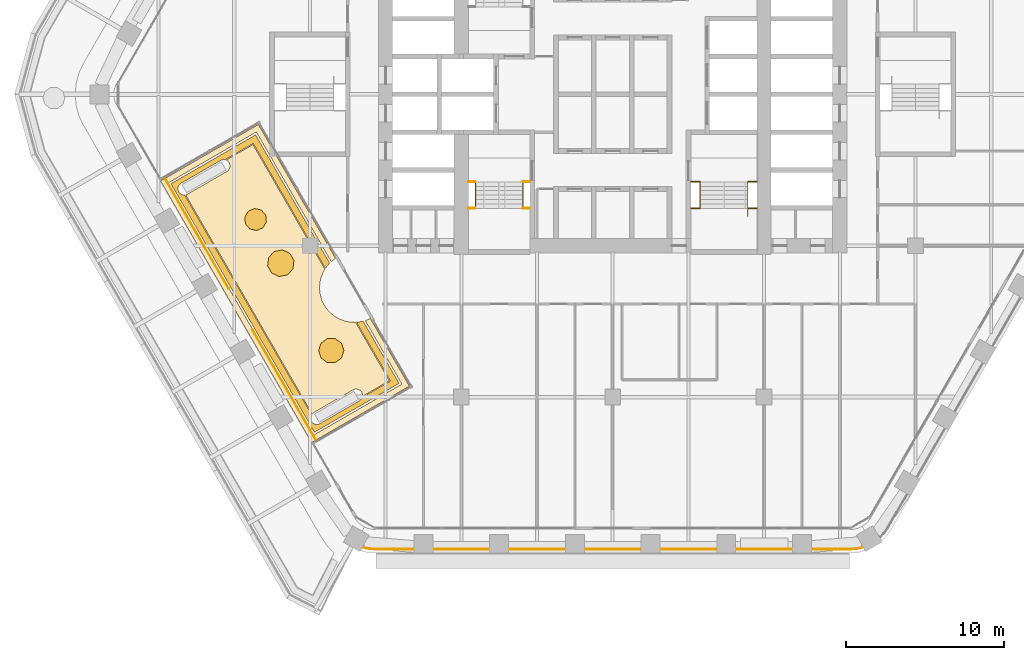
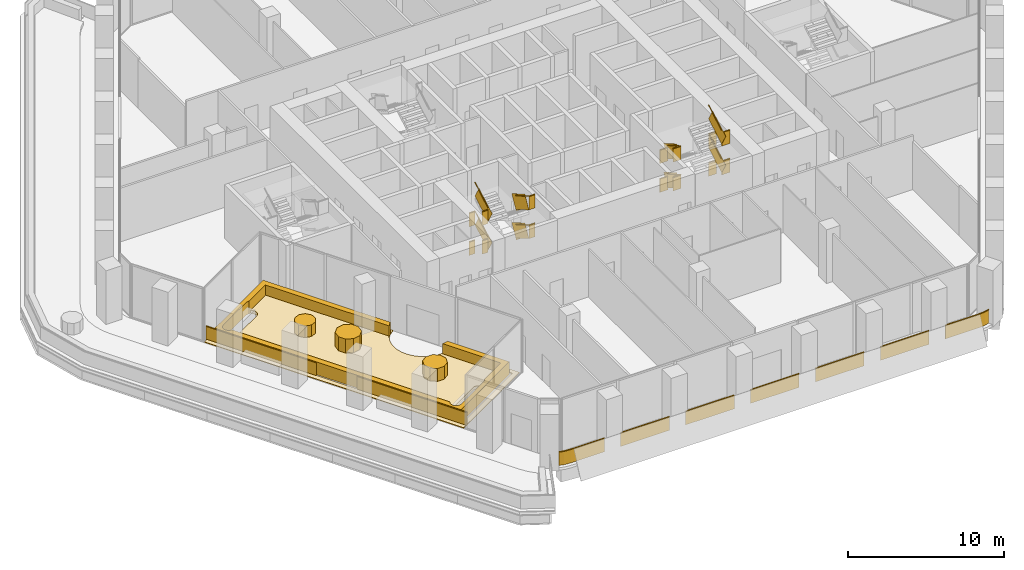
# One storey, part 25 of 27: 6 coverings, 6 railings.
"""IFC4 building model written with IfcOpenShell, lengths in metres."""

from ifc_helpers import new_model, si_unit, direction, frame, frame_2d, origin, origin_2d, place, context, subcontext, project, spatial, polyline, rectangle, outline, extrude, material, layer, layer_set, type_object, element, save


model = new_model("IFC4")

# Units and contexts
model_context = context("Model", 3, precision=1e-05, world=origin(), true_north=direction((0.0, 1.0)))
body_context = subcontext(model_context, "Body", "Model", "MODEL_VIEW")
ifc_project = project(units=[si_unit("LENGTHUNIT", "METRE"), si_unit("AREAUNIT", "SQUARE_METRE"), si_unit("VOLUMEUNIT", "CUBIC_METRE"), si_unit("PLANEANGLEUNIT", "RADIAN"), si_unit("MASSUNIT", "GRAM", prefix="KILO")], contexts=[model_context])

# Site, building, storey
site_placement = place(None, origin())
site = spatial("IfcSite", under=ifc_project, at=site_placement, CompositionType="ELEMENT")
building_placement = place(site_placement, origin())
building = spatial("IfcBuilding", under=site, at=building_placement, Name="Kolab Exchange Tower", CompositionType="ELEMENT")
storey_placement = place(building_placement, frame((0.0, 0.0, 122.89990234375)))
storey = spatial("IfcBuildingStorey", under=building, at=storey_placement, Name="L24", CompositionType="ELEMENT", Elevation=122.89990234375)

# Covering
ifc_material_1 = material(Name="Flowering shrub planting", Category="soil")
ifc_layer_1 = layer(ifc_material_1, 1.0)
ifc_layer_set_1 = layer_set([ifc_layer_1], Name="Flowering shrub planting")
covering_type_1 = type_object("IfcCoveringType", Name="FLOWERING SHRUB PLANTING", PredefinedType="USERDEFINED", material=ifc_layer_set_1)
covering_1_placement = place(storey_placement, frame((0.0, 0.0, 0.25)))
element("IfcCovering", 1, at=covering_1_placement, inside=storey, type_object=covering_type_1, Name="Flowering shrub", ObjectType="PLANTING", PredefinedType="USERDEFINED", context=body_context, shape_type="SweptSolid", body=[
    extrude(outline(polyline([(-17.048828125, -16.251708984375), (-17.20166015625, -15.781494140625), (-17.6015625, -15.490966796875), (-18.095947265625, -15.490966796875), (-18.49609375, -15.781494140625), (-18.64892578125, -16.251708984375), (-18.49609375, -16.721923828125), (-18.095947265625, -17.0126953125), (-17.6015625, -17.0126953125), (-17.20166015625, -16.721923828125), (-17.048828125, -16.251708984375)])), origin(), (0.0, 0.0, 1.0), 1.0),
])

# Railings
ifc_material_2 = material(Name="Stainless steel 316", Category="steel")
railing_type_1 = type_object("IfcRailingType", Name="GUARD 1100", PredefinedType="GUARDRAIL", material=ifc_material_2)
railing_1_placement = place(storey_placement, frame((-9.14990234375, -5.550048828125, 0.0)))
element("IfcRailing", 2, at=railing_1_placement, inside=storey, type_object=railing_type_1, Name="Guard ST3", PredefinedType="GUARDRAIL", context=body_context, shape_type="SweptSolid", body=[
    extrude(rectangle(XDim=0.05, YDim=0.05, at=origin_2d()), frame((0.0, 0.0, 1.0751953125), z_axis=(1.0, 0.0, 0.0), x_axis=(0.0, 1.0, 0.0)), (0.0, 0.0, 1.0), 0.43994140625),
    extrude(rectangle(XDim=0.012, YDim=1.05009765625, at=frame_2d((0.0, 0.525146484375))), frame((0.0, 0.0, 0.0), z_axis=(1.0, 0.0, 0.0), x_axis=(0.0, 1.0, 0.0)), (0.0, 0.0, 1.0), 0.43994140625),
    extrude(rectangle(XDim=0.05, YDim=0.05, at=origin_2d()), frame((3.4599609375, 0.0, 1.0751953125), z_axis=(1.0, 0.0, 0.0), x_axis=(0.0, 1.0, 0.0)), (0.0, 0.0, 1.0), 0.43994140625),
    extrude(rectangle(XDim=0.012, YDim=1.05009765625, at=frame_2d((0.0, 0.525146484375))), frame((3.4599609375, 0.0, 0.0), z_axis=(1.0, 0.0, 0.0), x_axis=(0.0, 1.0, 0.0)), (0.0, 0.0, 1.0), 0.43994140625),
    extrude(rectangle(XDim=0.05, YDim=0.05, at=origin_2d()), frame((0.0, -1.679931640625, 2.2001953125), z_axis=(1.0, 0.0, 0.0), x_axis=(0.0, 1.0, 0.0)), (0.0, 0.0, 1.0), 0.43994140625),
    extrude(rectangle(XDim=0.012, YDim=1.05009765625, at=frame_2d((0.0, 0.525146484375))), frame((0.0, -1.679931640625, 1.125), z_axis=(1.0, 0.0, 0.0), x_axis=(0.0, 1.0, 0.0)), (0.0, 0.0, 1.0), 0.43994140625),
    extrude(rectangle(XDim=0.05, YDim=0.05, at=origin_2d()), frame((3.4599609375, -1.679931640625, 2.2001953125), z_axis=(1.0, 0.0, 0.0), x_axis=(0.0, 1.0, 0.0)), (0.0, 0.0, 1.0), 0.43994140625),
    extrude(rectangle(XDim=0.012, YDim=1.05009765625, at=frame_2d((0.0, 0.525146484375))), frame((3.4599609375, -1.679931640625, 1.125), z_axis=(1.0, 0.0, 0.0), x_axis=(0.0, 1.0, 0.0)), (0.0, 0.0, 1.0), 0.43994140625),
    extrude(rectangle(XDim=0.05, YDim=0.05, at=origin_2d()), frame((0.0, 0.0, 3.3251953125), z_axis=(1.0, 0.0, 0.0), x_axis=(0.0, 1.0, 0.0)), (0.0, 0.0, 1.0), 0.43994140625),
    extrude(rectangle(XDim=0.012, YDim=1.05009765625, at=frame_2d((0.0, 0.525146484375))), frame((0.0, 0.0, 2.25), z_axis=(1.0, 0.0, 0.0), x_axis=(0.0, 1.0, 0.0)), (0.0, 0.0, 1.0), 0.43994140625),
    extrude(rectangle(XDim=0.05, YDim=0.05, at=origin_2d()), frame((3.4599609375, 0.0, 3.3251953125), z_axis=(1.0, 0.0, 0.0), x_axis=(0.0, 1.0, 0.0)), (0.0, 0.0, 1.0), 0.43994140625),
    extrude(rectangle(XDim=0.012, YDim=1.05009765625, at=frame_2d((0.0, 0.525146484375))), frame((3.4599609375, 0.0, 2.25), z_axis=(1.0, 0.0, 0.0), x_axis=(0.0, 1.0, 0.0)), (0.0, 0.0, 1.0), 0.43994140625),
    extrude(rectangle(XDim=0.05, YDim=0.05, at=origin_2d()), frame((0.0, -1.679931640625, 4.4501953125), z_axis=(1.0, 0.0, 0.0), x_axis=(0.0, 1.0, 0.0)), (0.0, 0.0, 1.0), 0.43994140625),
    extrude(rectangle(XDim=0.012, YDim=1.05009765625, at=frame_2d((0.0, 0.525146484375))), frame((0.0, -1.679931640625, 3.375), z_axis=(1.0, 0.0, 0.0), x_axis=(0.0, 1.0, 0.0)), (0.0, 0.0, 1.0), 0.43994140625),
    extrude(rectangle(XDim=0.05, YDim=0.05, at=origin_2d()), frame((3.4599609375, -1.679931640625, 4.4501953125), z_axis=(1.0, 0.0, 0.0), x_axis=(0.0, 1.0, 0.0)), (0.0, 0.0, 1.0), 0.43994140625),
    extrude(rectangle(XDim=0.012, YDim=1.05009765625, at=frame_2d((0.0, 0.525146484375))), frame((3.4599609375, -1.679931640625, 3.375), z_axis=(1.0, 0.0, 0.0), x_axis=(0.0, 1.0, 0.0)), (0.0, 0.0, 1.0), 0.43994140625),
])
railing_2_placement = place(storey_placement, frame((-5.68994140625, -5.550048828125, 0.160888671875)))
element("IfcRailing", 3, at=railing_2_placement, inside=storey, type_object=railing_type_1, Name="Handrail guard ST3", PredefinedType="GUARDRAIL", context=body_context, shape_type="SweptSolid", body=[
    extrude(rectangle(XDim=0.05, YDim=0.05, at=origin_2d()), frame((0.0, 0.0, 1.0751953125), z_axis=(0.0, -0.867318599139, 0.497753400378), x_axis=(1.0, 0.0, 0.0)), (0.0, 0.0, 1.0), 1.93701171875),
    extrude(rectangle(XDim=0.012, YDim=1.05009765625, at=frame_2d((0.0, 0.525146484375))), frame((0.0, 0.0, 0.0), z_axis=(0.0, -0.867318599139, 0.497753400378), x_axis=(1.0, 0.0, 0.0)), (0.0, 0.0, 1.0), 1.93701171875),
    extrude(rectangle(XDim=0.05, YDim=0.05, at=origin_2d()), frame((-3.02001953125, -1.679931640625, 2.2001953125), z_axis=(0.0, 0.867318599139, 0.497753400378), x_axis=(-1.0, 0.0, 0.0)), (0.0, 0.0, 1.0), 1.93701171875),
    extrude(rectangle(XDim=0.012, YDim=1.05009765625, at=frame_2d((0.0, 0.525146484375))), frame((-3.02001953125, -1.679931640625, 1.125), z_axis=(0.0, 0.867318599139, 0.497753400378), x_axis=(-1.0, 0.0, 0.0)), (0.0, 0.0, 1.0), 1.93701171875),
    extrude(rectangle(XDim=0.05, YDim=0.05, at=origin_2d()), frame((0.0, 0.0, 3.3251953125), z_axis=(0.0, -0.867318599139, 0.497753400378), x_axis=(1.0, 0.0, 0.0)), (0.0, 0.0, 1.0), 1.93701171875),
    extrude(rectangle(XDim=0.012, YDim=1.05009765625, at=frame_2d((0.0, 0.525146484375))), frame((0.0, 0.0, 2.25), z_axis=(0.0, -0.867318599139, 0.497753400378), x_axis=(1.0, 0.0, 0.0)), (0.0, 0.0, 1.0), 1.93701171875),
    extrude(rectangle(XDim=0.05, YDim=0.05, at=origin_2d()), frame((-3.02001953125, -1.679931640625, 4.4501953125), z_axis=(0.0, 0.867318599139, 0.497753400378), x_axis=(-1.0, 0.0, 0.0)), (0.0, 0.0, 1.0), 1.93701171875),
    extrude(rectangle(XDim=0.012, YDim=1.05009765625, at=frame_2d((0.0, 0.525146484375))), frame((-3.02001953125, -1.679931640625, 3.375), z_axis=(0.0, 0.867318599139, 0.497753400378), x_axis=(-1.0, 0.0, 0.0)), (0.0, 0.0, 1.0), 1.93701171875),
])
railing_3_placement = place(storey_placement, frame((4.949951171875, -5.550048828125, 0.0)))
element("IfcRailing", 4, at=railing_3_placement, inside=storey, type_object=railing_type_1, Name="Guard ST2", PredefinedType="GUARDRAIL", context=body_context, shape_type="SweptSolid", body=[
    extrude(rectangle(XDim=0.05, YDim=0.05, at=origin_2d()), frame((0.0, 0.0, 1.0751953125), z_axis=(1.0, 0.0, 0.0), x_axis=(0.0, 1.0, 0.0)), (0.0, 0.0, 1.0), 0.590087890625),
    extrude(rectangle(XDim=0.012, YDim=1.05009765625, at=frame_2d((0.0, 0.525146484375))), frame((0.0, 0.0, 0.0), z_axis=(1.0, 0.0, 0.0), x_axis=(0.0, 1.0, 0.0)), (0.0, 0.0, 1.0), 0.590087890625),
    extrude(rectangle(XDim=0.05, YDim=0.05, at=origin_2d()), frame((3.610107421875, 0.0, 1.0751953125), z_axis=(1.0, 0.0, 0.0), x_axis=(0.0, 1.0, 0.0)), (0.0, 0.0, 1.0), 0.58984375),
    extrude(rectangle(XDim=0.012, YDim=1.05009765625, at=frame_2d((0.0, 0.525146484375))), frame((3.610107421875, 0.0, 0.0), z_axis=(1.0, 0.0, 0.0), x_axis=(0.0, 1.0, 0.0)), (0.0, 0.0, 1.0), 0.58984375),
    extrude(rectangle(XDim=0.05, YDim=0.05, at=origin_2d()), frame((0.0, -1.679931640625, 2.2001953125), z_axis=(1.0, 0.0, 0.0), x_axis=(0.0, 1.0, 0.0)), (0.0, 0.0, 1.0), 0.590087890625),
    extrude(rectangle(XDim=0.012, YDim=1.05009765625, at=frame_2d((0.0, 0.525146484375))), frame((0.0, -1.679931640625, 1.125), z_axis=(1.0, 0.0, 0.0), x_axis=(0.0, 1.0, 0.0)), (0.0, 0.0, 1.0), 0.590087890625),
    extrude(rectangle(XDim=0.05, YDim=0.05, at=origin_2d()), frame((3.610107421875, -1.679931640625, 2.2001953125), z_axis=(1.0, 0.0, 0.0), x_axis=(0.0, 1.0, 0.0)), (0.0, 0.0, 1.0), 0.58984375),
    extrude(rectangle(XDim=0.012, YDim=1.05009765625, at=frame_2d((0.0, 0.525146484375))), frame((3.610107421875, -1.679931640625, 1.125), z_axis=(1.0, 0.0, 0.0), x_axis=(0.0, 1.0, 0.0)), (0.0, 0.0, 1.0), 0.58984375),
    extrude(rectangle(XDim=0.05, YDim=0.05, at=origin_2d()), frame((0.0, 0.0, 3.3251953125), z_axis=(1.0, 0.0, 0.0), x_axis=(0.0, 1.0, 0.0)), (0.0, 0.0, 1.0), 0.590087890625),
    extrude(rectangle(XDim=0.012, YDim=1.05009765625, at=frame_2d((0.0, 0.525146484375))), frame((0.0, 0.0, 2.25), z_axis=(1.0, 0.0, 0.0), x_axis=(0.0, 1.0, 0.0)), (0.0, 0.0, 1.0), 0.590087890625),
    extrude(rectangle(XDim=0.05, YDim=0.05, at=origin_2d()), frame((3.610107421875, 0.0, 3.3251953125), z_axis=(1.0, 0.0, 0.0), x_axis=(0.0, 1.0, 0.0)), (0.0, 0.0, 1.0), 0.58984375),
    extrude(rectangle(XDim=0.012, YDim=1.05009765625, at=frame_2d((0.0, 0.525146484375))), frame((3.610107421875, 0.0, 2.25), z_axis=(1.0, 0.0, 0.0), x_axis=(0.0, 1.0, 0.0)), (0.0, 0.0, 1.0), 0.58984375),
    extrude(rectangle(XDim=0.05, YDim=0.05, at=origin_2d()), frame((0.0, -1.679931640625, 4.4501953125), z_axis=(1.0, 0.0, 0.0), x_axis=(0.0, 1.0, 0.0)), (0.0, 0.0, 1.0), 0.590087890625),
    extrude(rectangle(XDim=0.012, YDim=1.05009765625, at=frame_2d((0.0, 0.525146484375))), frame((0.0, -1.679931640625, 3.375), z_axis=(1.0, 0.0, 0.0), x_axis=(0.0, 1.0, 0.0)), (0.0, 0.0, 1.0), 0.590087890625),
    extrude(rectangle(XDim=0.05, YDim=0.05, at=origin_2d()), frame((3.610107421875, -1.679931640625, 4.4501953125), z_axis=(1.0, 0.0, 0.0), x_axis=(0.0, 1.0, 0.0)), (0.0, 0.0, 1.0), 0.58984375),
    extrude(rectangle(XDim=0.012, YDim=1.05009765625, at=frame_2d((0.0, 0.525146484375))), frame((3.610107421875, -1.679931640625, 3.375), z_axis=(1.0, 0.0, 0.0), x_axis=(0.0, 1.0, 0.0)), (0.0, 0.0, 1.0), 0.58984375),
])
railing_4_placement = place(storey_placement, frame((5.5400390625, -5.550048828125, 0.160888671875)))
element("IfcRailing", 5, at=railing_4_placement, inside=storey, type_object=railing_type_1, Name="Handrail guard ST2", PredefinedType="GUARDRAIL", context=body_context, shape_type="SweptSolid", body=[
    extrude(rectangle(XDim=0.05, YDim=0.05, at=origin_2d()), frame((0.0, 0.0, 1.0751953125), z_axis=(0.0, -0.867318599139, 0.497753400378), x_axis=(1.0, 0.0, 0.0)), (0.0, 0.0, 1.0), 1.93701171875),
    extrude(rectangle(XDim=0.012, YDim=1.05009765625, at=frame_2d((0.0, 0.525146484375))), frame((0.0, 0.0, 0.0), z_axis=(0.0, -0.867318599139, 0.497753400378), x_axis=(1.0, 0.0, 0.0)), (0.0, 0.0, 1.0), 1.93701171875),
    extrude(rectangle(XDim=0.05, YDim=0.05, at=origin_2d()), frame((3.02001953125, -1.679931640625, 2.2001953125), z_axis=(0.0, 0.867318599139, 0.497753400378), x_axis=(-1.0, 0.0, 0.0)), (0.0, 0.0, 1.0), 1.93701171875),
    extrude(rectangle(XDim=0.012, YDim=1.05009765625, at=frame_2d((0.0, 0.525146484375))), frame((3.02001953125, -1.679931640625, 1.125), z_axis=(0.0, 0.867318599139, 0.497753400378), x_axis=(-1.0, 0.0, 0.0)), (0.0, 0.0, 1.0), 1.93701171875),
    extrude(rectangle(XDim=0.05, YDim=0.05, at=origin_2d()), frame((0.0, 0.0, 3.3251953125), z_axis=(0.0, -0.867318599139, 0.497753400378), x_axis=(1.0, 0.0, 0.0)), (0.0, 0.0, 1.0), 1.93701171875),
    extrude(rectangle(XDim=0.012, YDim=1.05009765625, at=frame_2d((0.0, 0.525146484375))), frame((0.0, 0.0, 2.25), z_axis=(0.0, -0.867318599139, 0.497753400378), x_axis=(1.0, 0.0, 0.0)), (0.0, 0.0, 1.0), 1.93701171875),
    extrude(rectangle(XDim=0.05, YDim=0.05, at=origin_2d()), frame((3.02001953125, -1.679931640625, 4.4501953125), z_axis=(0.0, 0.867318599139, 0.497753400378), x_axis=(-1.0, 0.0, 0.0)), (0.0, 0.0, 1.0), 1.93701171875),
    extrude(rectangle(XDim=0.012, YDim=1.05009765625, at=frame_2d((0.0, 0.525146484375))), frame((3.02001953125, -1.679931640625, 3.375), z_axis=(0.0, 0.867318599139, 0.497753400378), x_axis=(-1.0, 0.0, 0.0)), (0.0, 0.0, 1.0), 1.93701171875),
])
ifc_material_3 = material(Name="Steel S235", Category="steel")
railing_type_2 = type_object("IfcRailingType", Name="GUARD 1100 GLASS BALUSTRADE AND STEEL TOP RAIL", PredefinedType="GUARDRAIL", material=ifc_material_3)
railing_5_placement = place(storey_placement, frame((-15.89208984375, -28.7138671875, 0.0)))
element("IfcRailing", 6, at=railing_5_placement, inside=storey, type_object=railing_type_2, Name="Guard", PredefinedType="GUARDRAIL", context=body_context, shape_type="SweptSolid", body=[
    extrude(rectangle(XDim=0.05, YDim=0.05, at=origin_2d()), frame((0.0, 0.0, 1.0751953125), z_axis=(0.966008746817, -0.258509382951, 0.0), x_axis=(0.258509382951, 0.966008746817, 0.0)), (0.0, 0.0, 1.0), 0.35888671875),
    extrude(rectangle(XDim=0.012, YDim=1.05009765625, at=frame_2d((0.0, 0.525146484375))), frame((0.0, 0.0, 0.0), z_axis=(0.966008746817, -0.258509382951, 0.0), x_axis=(0.258509382951, 0.966008746817, 0.0)), (0.0, 0.0, 1.0), 0.35888671875),
    extrude(rectangle(XDim=0.05, YDim=0.05, at=origin_2d()), frame((0.3466796875, -0.0927734375, 1.0751953125), z_axis=(0.996200348447, -0.087091134757, 0.0), x_axis=(0.087091134757, 0.996200348447, 0.0)), (0.0, 0.0, 1.0), 0.479248046875),
    extrude(rectangle(XDim=0.012, YDim=1.05009765625, at=frame_2d((0.0, 0.525146484375))), frame((0.3466796875, -0.0927734375, 0.0), z_axis=(0.996200348447, -0.087091134757, 0.0), x_axis=(0.087091134757, 0.996200348447, 0.0)), (0.0, 0.0, 1.0), 0.479248046875),
    extrude(rectangle(XDim=0.05, YDim=0.05, at=origin_2d()), frame((0.82421875, -0.134521484375, 1.0751953125), z_axis=(1.0, 0.0, 0.0), x_axis=(0.0, 1.0, 0.0)), (0.0, 0.0, 1.0), 2.4677734375),
    extrude(rectangle(XDim=0.012, YDim=1.05009765625, at=frame_2d((0.0, 0.525146484375))), frame((0.82421875, -0.134521484375, 0.0), z_axis=(1.0, 0.0, 0.0), x_axis=(0.0, 1.0, 0.0)), (0.0, 0.0, 1.0), 2.4677734375),
    extrude(rectangle(XDim=0.05, YDim=0.05, at=origin_2d()), frame((4.4921875, -0.134521484375, 1.0751953125), z_axis=(1.0, 0.0, 0.0), x_axis=(0.0, 1.0, 0.0)), (0.0, 0.0, 1.0), 3.599853515625),
    extrude(rectangle(XDim=0.012, YDim=1.05009765625, at=frame_2d((0.0, 0.525146484375))), frame((4.4921875, -0.134521484375, 0.0), z_axis=(1.0, 0.0, 0.0), x_axis=(0.0, 1.0, 0.0)), (0.0, 0.0, 1.0), 3.599853515625),
    extrude(rectangle(XDim=0.05, YDim=0.05, at=origin_2d()), frame((9.2919921875, -0.134521484375, 1.0751953125), z_axis=(1.0, 0.0, 0.0), x_axis=(0.0, 1.0, 0.0)), (0.0, 0.0, 1.0), 3.60009765625),
    extrude(rectangle(XDim=0.012, YDim=1.05009765625, at=frame_2d((0.0, 0.525146484375))), frame((9.2919921875, -0.134521484375, 0.0), z_axis=(1.0, 0.0, 0.0), x_axis=(0.0, 1.0, 0.0)), (0.0, 0.0, 1.0), 3.60009765625),
    extrude(rectangle(XDim=0.05, YDim=0.05, at=origin_2d()), frame((14.092041015625, -0.134521484375, 1.0751953125), z_axis=(1.0, 0.0, 0.0), x_axis=(0.0, 1.0, 0.0)), (0.0, 0.0, 1.0), 3.60009765625),
    extrude(rectangle(XDim=0.012, YDim=1.05009765625, at=frame_2d((0.0, 0.525146484375))), frame((14.092041015625, -0.134521484375, 0.0), z_axis=(1.0, 0.0, 0.0), x_axis=(0.0, 1.0, 0.0)), (0.0, 0.0, 1.0), 3.60009765625),
    extrude(rectangle(XDim=0.05, YDim=0.05, at=origin_2d()), frame((18.89208984375, -0.134521484375, 1.0751953125), z_axis=(1.0, 0.0, 0.0), x_axis=(0.0, 1.0, 0.0)), (0.0, 0.0, 1.0), 3.60009765625),
    extrude(rectangle(XDim=0.012, YDim=1.05009765625, at=frame_2d((0.0, 0.525146484375))), frame((18.89208984375, -0.134521484375, 0.0), z_axis=(1.0, 0.0, 0.0), x_axis=(0.0, 1.0, 0.0)), (0.0, 0.0, 1.0), 3.60009765625),
    extrude(rectangle(XDim=0.05, YDim=0.05, at=origin_2d()), frame((23.692138671875, -0.134521484375, 1.0751953125), z_axis=(1.0, 0.0, 0.0), x_axis=(0.0, 1.0, 0.0)), (0.0, 0.0, 1.0), 3.599853515625),
    extrude(rectangle(XDim=0.012, YDim=1.05009765625, at=frame_2d((0.0, 0.525146484375))), frame((23.692138671875, -0.134521484375, 0.0), z_axis=(1.0, 0.0, 0.0), x_axis=(0.0, 1.0, 0.0)), (0.0, 0.0, 1.0), 3.599853515625),
    extrude(rectangle(XDim=0.05, YDim=0.05, at=origin_2d()), frame((28.4921875, -0.134521484375, 1.0751953125), z_axis=(1.0, 0.0, 0.0), x_axis=(0.0, 1.0, 0.0)), (0.0, 0.0, 1.0), 2.4677734375),
    extrude(rectangle(XDim=0.012, YDim=1.05009765625, at=frame_2d((0.0, 0.525146484375))), frame((28.4921875, -0.134521484375, 0.0), z_axis=(1.0, 0.0, 0.0), x_axis=(0.0, 1.0, 0.0)), (0.0, 0.0, 1.0), 2.4677734375),
    extrude(rectangle(XDim=0.05, YDim=0.05, at=origin_2d()), frame((30.9599609375, -0.134521484375, 1.0751953125), z_axis=(0.996200348447, 0.087091134757, 0.0), x_axis=(-0.087091134757, 0.996200348447, 0.0)), (0.0, 0.0, 1.0), 0.479248046875),
    extrude(rectangle(XDim=0.012, YDim=1.05009765625, at=frame_2d((0.0, 0.525146484375))), frame((30.9599609375, -0.134521484375, 0.0), z_axis=(0.996200348447, 0.087091134757, 0.0), x_axis=(-0.087091134757, 0.996200348447, 0.0)), (0.0, 0.0, 1.0), 0.479248046875),
    extrude(rectangle(XDim=0.05, YDim=0.05, at=origin_2d()), frame((31.4375, -0.0927734375, 1.0751953125), z_axis=(0.966008746817, 0.258509382951, 0.0), x_axis=(-0.258509382951, 0.966008746817, 0.0)), (0.0, 0.0, 1.0), 0.35888671875),
    extrude(rectangle(XDim=0.012, YDim=1.05009765625, at=frame_2d((0.0, 0.525146484375))), frame((31.4375, -0.0927734375, 0.0), z_axis=(0.966008746817, 0.258509382951, 0.0), x_axis=(-0.258509382951, 0.966008746817, 0.0)), (0.0, 0.0, 1.0), 0.35888671875),
])
railing_6_placement = place(storey_placement, frame((-18.77783203125, -21.97265625, 0.0)))
element("IfcRailing", 7, at=railing_6_placement, inside=storey, type_object=railing_type_2, Name="Terrace guard", PredefinedType="GUARDRAIL", context=body_context, shape_type="SweptSolid", body=[
    extrude(rectangle(XDim=0.05, YDim=0.05, at=origin_2d()), frame((0.0, 0.0, 1.0751953125), z_axis=(-0.500013234218, 0.86601776287, 0.0), x_axis=(-0.86601776287, -0.500013234218, 0.0)), (0.0, 0.0, 1.0), 8.139892578125),
    extrude(rectangle(XDim=0.012, YDim=1.05009765625, at=frame_2d((0.0, 0.525146484375))), frame((0.0, 0.0, 0.0), z_axis=(-0.500013234218, 0.86601776287, 0.0), x_axis=(-0.86601776287, -0.500013234218, 0.0)), (0.0, 0.0, 1.0), 8.139892578125),
    extrude(rectangle(XDim=0.05, YDim=0.05, at=origin_2d()), frame((-9.64013671875, 16.697021484375, 1.0751953125), z_axis=(0.500000246922, -0.866025261224, 0.0), x_axis=(0.866025261224, 0.500000246922, 0.0)), (0.0, 0.0, 1.0), 8.14013671875),
    extrude(rectangle(XDim=0.012, YDim=1.05009765625, at=frame_2d((0.0, 0.525146484375))), frame((-9.64013671875, 16.697021484375, 0.0), z_axis=(0.500000246922, -0.866025261224, 0.0), x_axis=(0.866025261224, 0.500000246922, 0.0)), (0.0, 0.0, 1.0), 8.14013671875),
])

# Coverings
ifc_material_4 = material(Name="Dense shrub planting", Category="soil")
ifc_layer_2 = layer(ifc_material_4, 1.39990234375)
ifc_layer_set_2 = layer_set([ifc_layer_2], Name="Dense shrub planting")
covering_type_2 = type_object("IfcCoveringType", Name="PLANTED TRELLIS SCREEN AND SHRUB BED", PredefinedType="USERDEFINED", material=ifc_layer_set_2)
covering_2_placement = place(storey_placement, frame((0.0, 0.0, 0.25)))
element("IfcCovering", 8, at=covering_2_placement, inside=storey, type_object=covering_type_2, Name="Shrub bed", ObjectType="PLANTING", PredefinedType="USERDEFINED", context=body_context, shape_type="SweptSolid", body=[
    extrude(outline(polyline([(-20.2158203125, -10.54052734375), (-20.47412109375, -10.083251953125), (-20.951904296875, -9.864990234375), (-21.466796875, -9.96923828125), (-21.822021484375, -10.3564453125), (-21.8818359375, -10.878173828125), (-21.62353515625, -11.335693359375), (-21.145751953125, -11.553955078125), (-20.630859375, -11.449462890625), (-20.275634765625, -11.0625), (-20.2158203125, -10.54052734375)])), origin(), (0.0, 0.0, 1.0), 1.10009765625),
])
covering_3_placement = place(storey_placement, frame((0.0, 0.0, 0.25)))
element("IfcCovering", 9, at=covering_3_placement, inside=storey, type_object=covering_type_2, Name="Shrub bed", ObjectType="PLANTING", PredefinedType="USERDEFINED", context=body_context, shape_type="SweptSolid", body=[
    extrude(outline(polyline([(-22.004150390625, -7.66552734375), (-22.287353515625, -7.338623046875), (-22.708740234375, -7.24072265625), (-23.107421875, -7.4091796875), (-23.33056640625, -7.77978515625), (-23.29345703125, -8.210693359375), (-23.01025390625, -8.53759765625), (-22.5888671875, -8.6357421875), (-22.1904296875, -8.467041015625), (-21.967041015625, -8.0966796875), (-22.004150390625, -7.66552734375)])), origin(), (0.0, 0.0, 1.0), 0.900146484375),
])
ifc_material_5 = material(Name="Planting soil and turf", Category="soil")
ifc_layer_3 = layer(ifc_material_5, 0.25)
ifc_layer_set_3 = layer_set([ifc_layer_3], Name="Planting soil and turf")
covering_type_3 = type_object("IfcCoveringType", Name="PLANTING SOIL AND TURF 250", PredefinedType="USERDEFINED", material=ifc_layer_set_3)
covering_4_placement = place(storey_placement, origin())
element("IfcCovering", 10, at=covering_4_placement, inside=storey, type_object=covering_type_3, Name="Planting soil and turf", ObjectType="PLANTING", PredefinedType="USERDEFINED", context=body_context, shape_type="SweptSolid", body=[
    extrude(outline(polyline([(-15.876220703125, -19.154296875), (-15.872314453125, -19.1201171875), (-15.871826171875, -19.080810546875), (-15.875, -19.041748046875), (-15.8818359375, -19.0029296875), (-15.892822265625, -18.96533203125), (-15.9072265625, -18.9287109375), (-15.925048828125, -18.893798828125), (-15.9462890625, -18.86083984375), (-15.970703125, -18.830078125), (-15.998046875, -18.802001953125), (-16.028076171875, -18.776611328125), (-16.060302734375, -18.754150390625), (-16.094482421875, -18.735107421875), (-16.130615234375, -18.719482421875), (-16.16796875, -18.70751953125), (-16.206298828125, -18.69921875), (-16.245361328125, -18.694580078125), (-16.28466796875, -18.694091796875), (-16.32373046875, -18.697265625), (-16.3623046875, -18.704345703125), (-16.400146484375, -18.715087890625), (-16.4365234375, -18.7294921875), (-16.471435546875, -18.747314453125), (-18.965576171875, -20.1875), (-18.99853515625, -20.208740234375), (-19.029296875, -20.233154296875), (-19.0576171875, -20.260498046875), (-19.067138671875, -20.271728515625), (-27.08935546875, -6.376708984375), (-27.07470703125, -6.374267578125), (-27.037109375, -6.36328125), (-27.00048828125, -6.348876953125), (-26.965576171875, -6.3310546875), (-24.471435546875, -4.89111328125), (-24.4384765625, -4.869873046875), (-24.40771484375, -4.845458984375), (-24.379638671875, -4.818115234375), (-24.354248046875, -4.7880859375), (-24.331787109375, -4.755859375), (-24.312744140625, -4.721435546875), (-24.297119140625, -4.685546875), (-24.28515625, -4.648193359375), (-24.27685546875, -4.60986328125), (-24.2724609375, -4.57080078125), (-24.271728515625, -4.531494140625), (-24.27490234375, -4.492431640625), (-24.281982421875, -4.453857421875), (-24.292724609375, -4.416015625), (-24.30712890625, -4.379638671875), (-24.3251953125, -4.3447265625), (-24.346435546875, -4.3115234375), (-24.370849609375, -4.28076171875), (-24.39794921875, -4.252685546875), (-24.427978515625, -4.227294921875), (-24.460205078125, -4.204833984375), (-24.49462890625, -4.185791015625), (-24.5263671875, -4.172119140625), (-22.813232421875, -3.18310546875), (-18.2490234375, -11.088623046875), (-18.326416015625, -11.218017578125), (-18.4189453125, -11.4130859375), (-18.491455078125, -11.616455078125), (-18.5439453125, -11.825927734375), (-18.57568359375, -12.039306640625), (-18.586181640625, -12.255126953125), (-18.57568359375, -12.470703125), (-18.5439453125, -12.684326171875), (-18.491455078125, -12.8935546875), (-18.4189453125, -13.096923828125), (-18.326416015625, -13.2919921875), (-18.215576171875, -13.477294921875), (-18.0869140625, -13.650634765625), (-17.94189453125, -13.810546875), (-17.781982421875, -13.95556640625), (-17.608642578125, -14.084228515625), (-17.42333984375, -14.1953125), (-17.228271484375, -14.28759765625), (-17.02490234375, -14.3603515625), (-16.8154296875, -14.412841796875), (-16.60205078125, -14.4443359375), (-16.38623046875, -14.455078125), (-16.3076171875, -14.451171875), (-14.163330078125, -18.165283203125), (-15.876220703125, -19.154296875)])), origin(), (0.0, 0.0, 1.0), 0.25),
])
ifc_material_6 = material(Name="Limestone coping", Category="masonry")
ifc_layer_4 = layer(ifc_material_6, 0.050048828125)
ifc_layer_set_4 = layer_set([ifc_layer_4], Name="Limestone coping")
covering_type_4 = type_object("IfcCoveringType", Name="TERRACE EDGE BAND LIMESTONE 50", PredefinedType="CLADDING", material=ifc_layer_set_4)
covering_5_placement = place(storey_placement, origin())
element("IfcCovering", 11, at=covering_5_placement, inside=storey, type_object=covering_type_4, Name="Terrace edge band", PredefinedType="CLADDING", context=body_context, shape_type="SweptSolid", body=[
    extrude(outline(polyline([(-28.673583984375, -5.49267578125), (-22.472900390625, -1.91259765625), (-21.469970703125, -3.649658203125), (-21.469970703125, -3.64990234375), (-21.469970703125, -3.65185546875), (-21.4697265625, -3.65380859375), (-21.46923828125, -3.65576171875), (-21.468505859375, -3.65771484375), (-21.467529296875, -3.659423828125), (-21.466552734375, -3.6611328125), (-21.465576171875, -3.66259765625), (-21.464111328125, -3.6640625), (-21.462646484375, -3.66552734375), (-21.461181640625, -3.666748046875), (-21.459716796875, -3.66748046875), (-17.57080078125, -10.4033203125), (-17.608642578125, -10.42578125), (-17.781982421875, -10.554443359375), (-17.851318359375, -10.617431640625), (-22.60107421875, -2.390869140625), (-28.195556640625, -5.620849609375), (-18.965576171875, -21.607666015625), (-13.37109375, -18.377685546875), (-15.7001953125, -14.34326171875), (-15.54443359375, -14.28759765625), (-15.374755859375, -14.207275390625), (-12.892822265625, -18.505859375), (-19.09375, -22.085693359375), (-28.673583984375, -5.49267578125)])), origin(), (0.0, 0.0, 1.0), 0.050048828125),
])
ifc_material_7 = material(Name="Terrace hedge planting", Category="soil")
ifc_layer_5 = layer(ifc_material_7, 1.0)
ifc_layer_set_5 = layer_set([ifc_layer_5], Name="Terrace hedge planting")
covering_type_5 = type_object("IfcCoveringType", Name="TERRACE HEDGE 1000 X 400", PredefinedType="USERDEFINED", material=ifc_layer_set_5)
covering_6_placement = place(storey_placement, origin())
element("IfcCovering", 12, at=covering_6_placement, inside=storey, type_object=covering_type_5, Name="Terrace hedge", ObjectType="PLANTING", PredefinedType="USERDEFINED", context=body_context, shape_type="SweptSolid", body=[
    extrude(outline(polyline([(-28.01806640625, -5.66845703125), (-22.648681640625, -2.568359375), (-17.949462890625, -10.70751953125), (-18.0869140625, -10.859375), (-18.215576171875, -11.03271484375), (-18.2197265625, -11.03955078125), (-22.794921875, -3.11474609375), (-24.593017578125, -4.15283203125), (-24.6064453125, -4.14990234375), (-24.645263671875, -4.1455078125), (-24.6845703125, -4.144775390625), (-24.7236328125, -4.14794921875), (-24.762451171875, -4.155029296875), (-24.800048828125, -4.165771484375), (-24.836669921875, -4.18017578125), (-24.87158203125, -4.1982421875), (-27.36572265625, -5.63818359375), (-27.398681640625, -5.659423828125), (-27.429443359375, -5.683837890625), (-27.45751953125, -5.711181640625), (-27.48291015625, -5.7412109375), (-27.50537109375, -5.7734375), (-27.5244140625, -5.8076171875), (-27.5400390625, -5.84375), (-27.552001953125, -5.881103515625), (-27.560302734375, -5.91943359375), (-27.564697265625, -5.95849609375), (-27.5654296875, -5.997802734375), (-27.562255859375, -6.036865234375), (-27.55517578125, -6.075439453125), (-27.54443359375, -6.11328125), (-27.530029296875, -6.149658203125), (-27.511962890625, -6.1845703125), (-27.49072265625, -6.217529296875), (-27.46630859375, -6.248291015625), (-27.439208984375, -6.276611328125), (-27.4091796875, -6.302001953125), (-27.376953125, -6.32421875), (-27.342529296875, -6.34326171875), (-27.306640625, -6.35888671875), (-27.269287109375, -6.37109375), (-27.230712890625, -6.379150390625), (-27.19189453125, -6.3837890625), (-27.152587890625, -6.38427734375), (-27.14306640625, -6.383544921875), (-19.099853515625, -20.31494140625), (-19.105224609375, -20.322509765625), (-19.12451171875, -20.35693359375), (-19.14013671875, -20.392822265625), (-19.152099609375, -20.430419921875), (-19.160400390625, -20.46875), (-19.164794921875, -20.507568359375), (-19.16552734375, -20.546875), (-19.162353515625, -20.5859375), (-19.1552734375, -20.624755859375), (-19.14453125, -20.662353515625), (-19.1298828125, -20.698974609375), (-19.112060546875, -20.73388671875), (-19.0908203125, -20.766845703125), (-19.06640625, -20.797607421875), (-19.0390625, -20.82568359375), (-19.00927734375, -20.85107421875), (-18.976806640625, -20.87353515625), (-18.942626953125, -20.892578125), (-18.906494140625, -20.908203125), (-18.869140625, -20.920166015625), (-18.830810546875, -20.928466796875), (-18.791748046875, -20.93310546875), (-18.752685546875, -20.93359375), (-18.71337890625, -20.930419921875), (-18.6748046875, -20.92333984375), (-18.636962890625, -20.91259765625), (-18.6005859375, -20.898193359375), (-18.565673828125, -20.88037109375), (-16.071533203125, -19.440185546875), (-16.03857421875, -19.4189453125), (-16.0078125, -19.39453125), (-15.9794921875, -19.3671875), (-15.9541015625, -19.33740234375), (-15.931884765625, -19.30517578125), (-15.912841796875, -19.270751953125), (-15.897216796875, -19.234619140625), (-15.89306640625, -19.2216796875), (-14.094970703125, -18.18359375), (-16.25146484375, -14.448486328125), (-16.170654296875, -14.4443359375), (-15.95703125, -14.412841796875), (-15.828857421875, -14.380615234375), (-13.548583984375, -18.330078125), (-18.91796875, -21.43017578125), (-28.01806640625, -5.66845703125)])), origin(), (0.0, 0.0, 1.0), 1.0),
])

save(model, "model.ifc")
